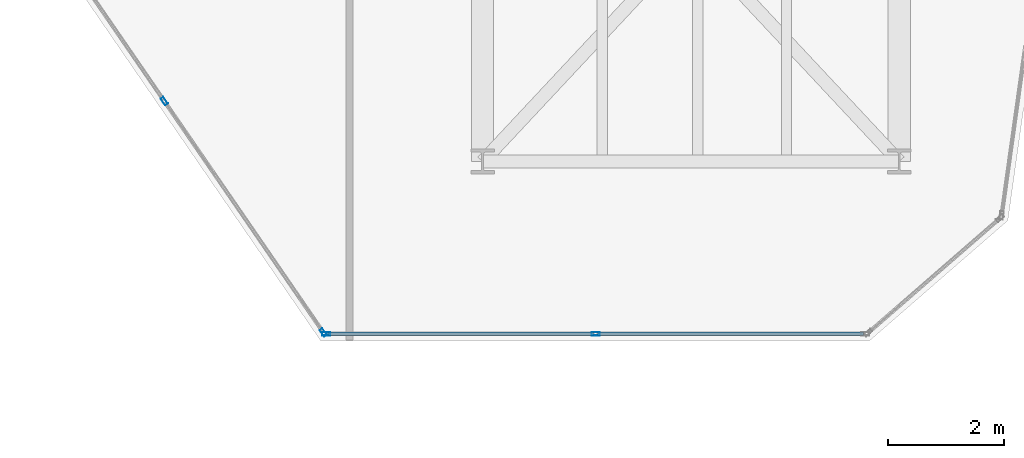
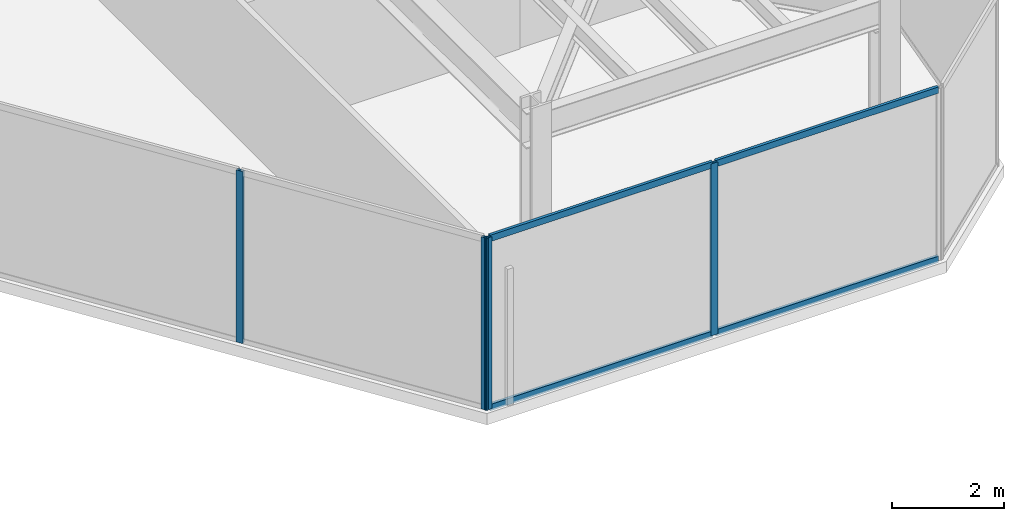
# One storey, part 8 of 21: 8 members, 2 elements without a shape of their own.
"""IFC4 building model written with IfcOpenShell, lengths in metres."""

from ifc_helpers import new_model, si_unit, direction, frame, origin, origin_2d, place, context, subcontext, project, spatial, hollow_rectangle, extrude, material, layer, layer_set, material_profile, profile_set, type_object, element, aggregate, save


model = new_model("IFC4")

# Units and contexts
model_context = context("Model", 3, precision=1e-05, world=origin(), true_north=direction((0.0, 1.0)))
body_context = subcontext(model_context, "Body", "Model", "MODEL_VIEW")
ifc_project = project(units=[si_unit("LENGTHUNIT", "METRE"), si_unit("AREAUNIT", "SQUARE_METRE"), si_unit("VOLUMEUNIT", "CUBIC_METRE"), si_unit("PLANEANGLEUNIT", "RADIAN"), si_unit("MASSUNIT", "GRAM", prefix="KILO")], contexts=[model_context])

# Site, building, storey
site_placement = place(None, origin())
site = spatial("IfcSite", under=ifc_project, at=site_placement, CompositionType="ELEMENT")
building_placement = place(site_placement, origin())
building = spatial("IfcBuilding", under=site, at=building_placement, Name="Kravanh Interchange Tower", CompositionType="ELEMENT")
storey_placement = place(building_placement, frame((0.0, 0.0, 160.5)))
storey = spatial("IfcBuildingStorey", under=building, at=storey_placement, Name="L38", CompositionType="ELEMENT", Elevation=160.5)

# Curtain wall, members
ifc_material_1 = material(Name="Anodised Bronze Aluminium", Category="aluminium")
ifc_layer = layer(ifc_material_1, 0.179931640625)
ifc_layer_set = layer_set([ifc_layer], Name="Unitised Curtain Wall System CW-Z3 Upper Office")
curtain_wall_type = type_object("IfcCurtainWallType", Name="Unitised Curtain Wall System CW-Z3 Upper Office", PredefinedType="NOTDEFINED", material=ifc_layer_set)
curtain_wall_1_placement = place(storey_placement, origin())
curtain_wall_1 = element("IfcCurtainWall", 1, at=curtain_wall_1_placement, inside=storey, type_object=curtain_wall_type, Name="L38 Unitised Curtain Wall CW-L38-03", PredefinedType="NOTDEFINED")
ifc_material_2 = material(Name="Anodised Bronze Aluminium", Category="aluminium")
ifc_material_profile_1 = material_profile(ifc_material_2, hollow_rectangle(XDim=0.06005859375, YDim=0.139892578125, WallThickness=0.00390625, at=origin_2d()), Name="ALU60X140X4")
ifc_profile_set_1 = profile_set([ifc_material_profile_1], Name="Anodised Bronze Aluminium")
member_type_1 = type_object("IfcMemberType", Name="Curtain Wall Mullion ALU60X140X4 Bronze", PredefinedType="MULLION", material=ifc_profile_set_1)
member_1_placement = place(storey_placement, frame((57.9521484375, 11.52001953125, 0.0), z_axis=(0.0, 0.0, 1.0), x_axis=(0.0, -1.0, 0.0)))
member_1 = element("IfcMember", 2, at=member_1_placement, type_object=member_type_1, Name="CW-Z3 mullion 2", PredefinedType="MULLION", context=body_context, shape_type="SweptSolid", body=[
    extrude(hollow_rectangle(XDim=0.06005859375, YDim=0.139892578125, WallThickness=0.00390625, at=origin_2d()), origin(), (0.0, 0.0, 1.0), 3.7548828125),
])
member_2_placement = place(storey_placement, frame((53.293212890625, 11.52001953125, 0.0), z_axis=(0.0, 0.0, 1.0), x_axis=(0.0, -1.0, 0.0)))
member_2 = element("IfcMember", 3, at=member_2_placement, type_object=member_type_1, Name="CW-Z3 mullion 3", PredefinedType="MULLION", context=body_context, shape_type="SweptSolid", body=[
    extrude(hollow_rectangle(XDim=0.06005859375, YDim=0.139892578125, WallThickness=0.00390625, at=origin_2d()), origin(), (0.0, 0.0, 1.0), 3.7548828125),
])

curtain_wall_2_placement = place(storey_placement, origin())
curtain_wall_2 = element("IfcCurtainWall", 4, at=curtain_wall_2_placement, inside=storey, type_object=curtain_wall_type, Name="L38 Unitised Curtain Wall CW-L38-04", PredefinedType="NOTDEFINED")
member_3_placement = place(storey_placement, frame((53.24609375, 11.544677734375, 0.0), z_axis=(0.0, 0.0, 1.0), x_axis=(-0.824042223035, -0.566528388217, 0.0)))
member_3 = element("IfcMember", 5, at=member_3_placement, type_object=member_type_1, Name="CW-Z3 mullion 1", PredefinedType="MULLION", context=body_context, shape_type="SweptSolid", body=[
    extrude(hollow_rectangle(XDim=0.06005859375, YDim=0.139892578125, WallThickness=0.00390625, at=origin_2d()), origin(), (0.0, 0.0, 1.0), 3.7548828125),
])
member_4_placement = place(storey_placement, frame((50.497314453125, 15.54296875, 0.0), z_axis=(0.0, 0.0, 1.0), x_axis=(-0.824042223035, -0.566528388217, 0.0)))
member_4 = element("IfcMember", 6, at=member_4_placement, type_object=member_type_1, Name="CW-Z3 mullion 2", PredefinedType="MULLION", context=body_context, shape_type="SweptSolid", body=[
    extrude(hollow_rectangle(XDim=0.06005859375, YDim=0.139892578125, WallThickness=0.00390625, at=origin_2d()), origin(), (0.0, 0.0, 1.0), 3.7548828125),
])
aggregate(curtain_wall_2, [member_3, member_4])

# Member
ifc_material_3 = material(Name="Anodised Bronze Aluminium", Category="aluminium")
ifc_material_profile_2 = material_profile(ifc_material_3, hollow_rectangle(XDim=0.06005859375, YDim=0.139892578125, WallThickness=0.00390625, at=origin_2d()), Name="ALU60X140X4")
ifc_profile_set_2 = profile_set([ifc_material_profile_2], Name="Anodised Bronze Aluminium")
member_type_2 = type_object("IfcMemberType", Name="Curtain Wall Transom ALU60X140X4 Bronze", PredefinedType="USERDEFINED", material=ifc_profile_set_2)
member_5_placement = place(storey_placement, frame((62.5810546875, 11.52001953125, 0.030029296875), z_axis=(-1.0, 0.0, 0.0), x_axis=(0.0, -1.0, 0.0)))
member_5 = element("IfcMember", 7, at=member_5_placement, type_object=member_type_2, Name="CW-Z3 transom 1.1", ObjectType="TRANSOM", PredefinedType="USERDEFINED", context=body_context, shape_type="SweptSolid", body=[
    extrude(hollow_rectangle(XDim=0.06005859375, YDim=0.139892578125, WallThickness=0.00390625, at=origin_2d()), origin(), (0.0, 0.0, 1.0), 4.59912109375),
])

member_6_placement = place(storey_placement, frame((62.5810546875, 11.52001953125, 3.72509765625), z_axis=(-1.0, 0.0, 0.0), x_axis=(0.0, -1.0, 0.0)))
member_6 = element("IfcMember", 8, at=member_6_placement, type_object=member_type_2, Name="CW-Z3 transom 1.2", ObjectType="TRANSOM", PredefinedType="USERDEFINED", context=body_context, shape_type="SweptSolid", body=[
    extrude(hollow_rectangle(XDim=0.06005859375, YDim=0.139892578125, WallThickness=0.00390625, at=origin_2d()), origin(), (0.0, 0.0, 1.0), 4.59912109375),
])

member_7_placement = place(storey_placement, frame((57.922119140625, 11.52001953125, 0.030029296875), z_axis=(-1.0, 0.0, 0.0), x_axis=(0.0, -1.0, 0.0)))
member_7 = element("IfcMember", 9, at=member_7_placement, type_object=member_type_2, Name="CW-Z3 transom 2.1", ObjectType="TRANSOM", PredefinedType="USERDEFINED", context=body_context, shape_type="SweptSolid", body=[
    extrude(hollow_rectangle(XDim=0.06005859375, YDim=0.139892578125, WallThickness=0.00390625, at=origin_2d()), origin(), (0.0, 0.0, 1.0), 4.59912109375),
])

member_8_placement = place(storey_placement, frame((57.922119140625, 11.52001953125, 3.72509765625), z_axis=(-1.0, 0.0, 0.0), x_axis=(0.0, -1.0, 0.0)))
member_8 = element("IfcMember", 10, at=member_8_placement, type_object=member_type_2, Name="CW-Z3 transom 2.2", ObjectType="TRANSOM", PredefinedType="USERDEFINED", context=body_context, shape_type="SweptSolid", body=[
    extrude(hollow_rectangle(XDim=0.06005859375, YDim=0.139892578125, WallThickness=0.00390625, at=origin_2d()), origin(), (0.0, 0.0, 1.0), 4.59912109375),
])

aggregate(curtain_wall_1, [member_1, member_2, member_5, member_6, member_7, member_8])

save(model, "model.ifc")
